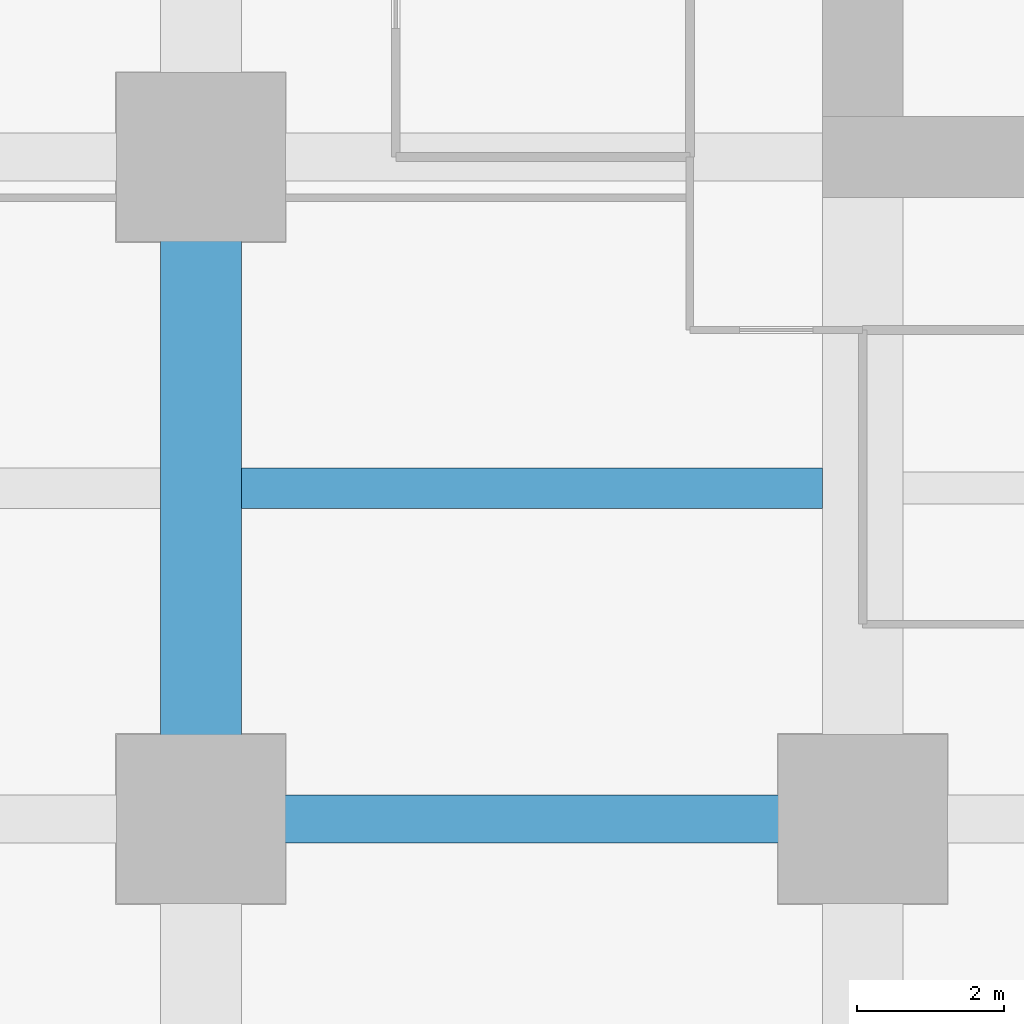
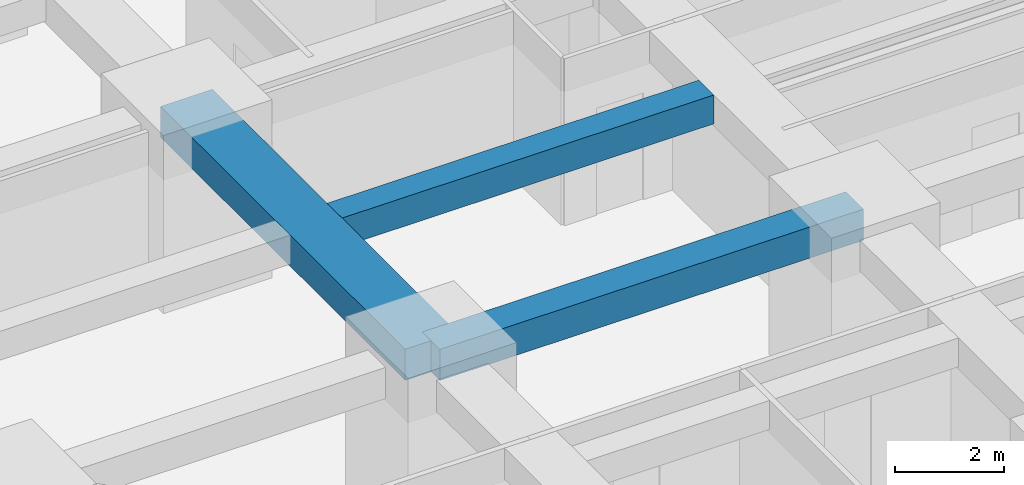
# One storey, part 5 of 45: 3 beams.
"""IFC4 building model written with IfcOpenShell, lengths in metres."""

from ifc_helpers import new_model, si_unit, direction, frame, origin, origin_2d, place, context, subcontext, project, spatial, rectangle, extrude, material, material_profile, profile_set, type_object, element, save


model = new_model("IFC4")

# Units and contexts
model_context = context("Model", 3, precision=1e-05, world=origin(), true_north=direction((0.0, 1.0)))
body_context = subcontext(model_context, "Body", "Model", "MODEL_VIEW")
ifc_project = project(units=[si_unit("LENGTHUNIT", "METRE"), si_unit("AREAUNIT", "SQUARE_METRE"), si_unit("VOLUMEUNIT", "CUBIC_METRE"), si_unit("PLANEANGLEUNIT", "RADIAN"), si_unit("MASSUNIT", "GRAM", prefix="KILO")], contexts=[model_context])

# Site, building, storey
site_placement = place(None, origin())
site = spatial("IfcSite", under=ifc_project, at=site_placement, CompositionType="ELEMENT")
building_placement = place(site_placement, origin())
building = spatial("IfcBuilding", under=site, at=building_placement, Name="Zorevar Civic Tower", CompositionType="ELEMENT")
storey_placement = place(building_placement, frame((0.0, 0.0, 39.800048828125)))
storey = spatial("IfcBuildingStorey", under=building, at=storey_placement, Name="L09", CompositionType="ELEMENT", Elevation=39.800048828125)

# Beams
ifc_material_1 = material(Name="Concrete C50/60", Category="concrete")
ifc_material_profile_1 = material_profile(ifc_material_1, rectangle(XDim=1.10009765625, YDim=0.699951171875, at=origin_2d()), Name="RC 1100x700")
ifc_profile_set_1 = profile_set([ifc_material_profile_1], Name="Concrete C50/60")
beam_type_1 = type_object("IfcBeamType", Name="Beam RC 1100x700", PredefinedType="BEAM", material=ifc_profile_set_1)
beam_1_placement = place(storey_placement, frame((9.0, 9.0, 3.39990234375), z_axis=(0.0, 1.0, 0.0), x_axis=(-1.0, 0.0, 0.0)))
element("IfcBeam", 1, at=beam_1_placement, inside=storey, type_object=beam_type_1, Name="Girder L10", PredefinedType="BEAM", context=body_context, shape_type="SweptSolid", body=[
    extrude(rectangle(XDim=1.10009765625, YDim=0.699951171875, at=origin_2d()), origin(), (0.0, 0.0, 1.0), 9.0),
])
ifc_material_2 = material(Name="Concrete C50/60", Category="concrete")
ifc_material_profile_2 = material_profile(ifc_material_2, rectangle(XDim=0.550048828125, YDim=0.64990234375, at=origin_2d()), Name="RC 550x650")
ifc_profile_set_2 = profile_set([ifc_material_profile_2], Name="Concrete C50/60")
beam_type_2 = type_object("IfcBeamType", Name="Beam RC 550x650", PredefinedType="BEAM", material=ifc_profile_set_2)
beam_2_placement = place(storey_placement, frame((9.550048828125, 13.5, 3.425048828125), z_axis=(1.0, 0.0, 0.0), x_axis=(0.0, 1.0, 0.0)))
element("IfcBeam", 2, at=beam_2_placement, inside=storey, type_object=beam_type_2, Name="Secondary beam L10", PredefinedType="BEAM", context=body_context, shape_type="SweptSolid", body=[
    extrude(rectangle(XDim=0.550048828125, YDim=0.64990234375, at=origin_2d()), origin(), (0.0, 0.0, 1.0), 7.89990234375),
])
ifc_material_3 = material(Name="Concrete C50/60", Category="concrete")
ifc_material_profile_3 = material_profile(ifc_material_3, rectangle(XDim=0.64990234375, YDim=0.699951171875, at=origin_2d()), Name="RC 650x700")
ifc_profile_set_3 = profile_set([ifc_material_profile_3], Name="Concrete C50/60")
beam_type_3 = type_object("IfcBeamType", Name="Beam RC 650x700", PredefinedType="BEAM", material=ifc_profile_set_3)
beam_3_placement = place(storey_placement, frame((9.0, 9.0, 3.39990234375), z_axis=(1.0, 0.0, 0.0), x_axis=(0.0, 1.0, 0.0)))
element("IfcBeam", 3, at=beam_3_placement, inside=storey, type_object=beam_type_3, Name="Girder L10", PredefinedType="BEAM", context=body_context, shape_type="SweptSolid", body=[
    extrude(rectangle(XDim=0.64990234375, YDim=0.699951171875, at=origin_2d()), origin(), (0.0, 0.0, 1.0), 9.0),
])

save(model, "model.ifc")
